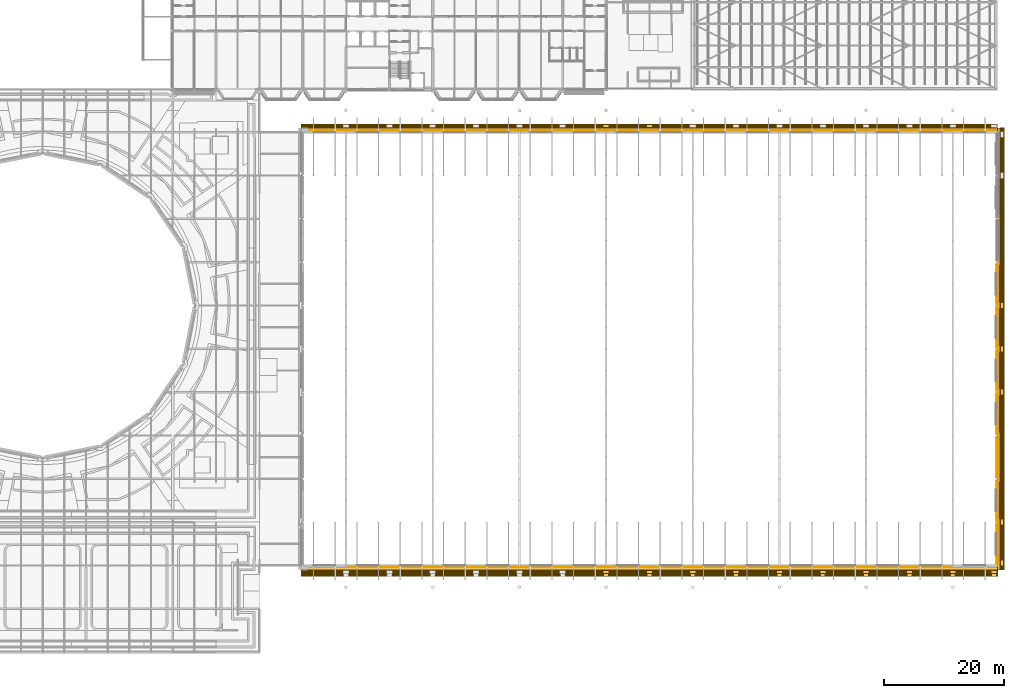
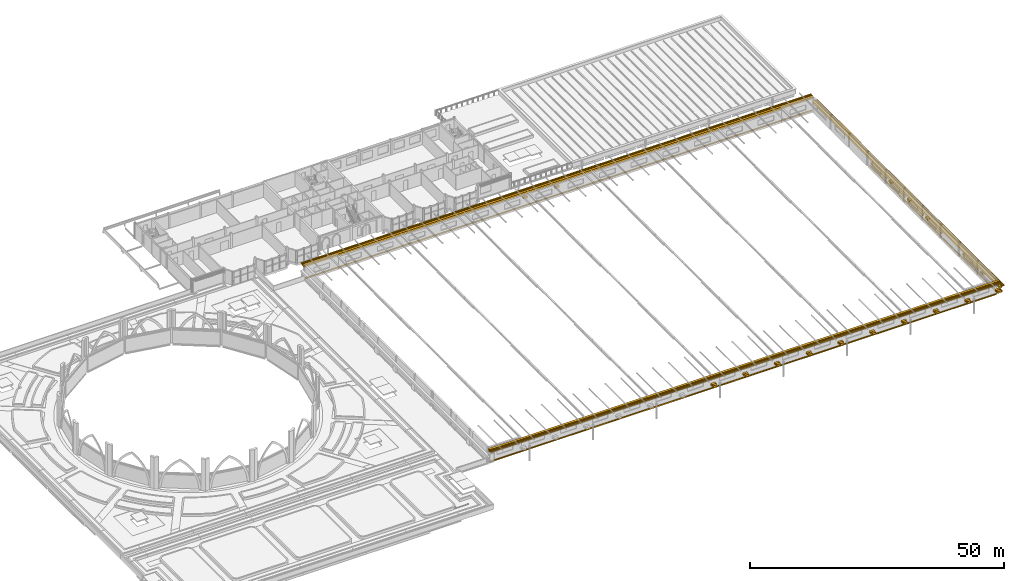
# One storey, part 104 of 110: 55 coverings.
"""IFC4 building model written with IfcOpenShell, lengths in metres."""

from ifc_helpers import new_model, si_unit, direction, frame, origin, origin_2d, place, context, subcontext, project, spatial, rectangle, extrude, material, layer, layer_set, type_object, element, save


model = new_model("IFC4")

# Units and contexts
model_context = context("Model", 3, precision=1e-05, world=origin(), true_north=direction((0.0, 1.0)))
body_context = subcontext(model_context, "Body", "Model", "MODEL_VIEW")
ifc_project = project(units=[si_unit("LENGTHUNIT", "METRE"), si_unit("AREAUNIT", "SQUARE_METRE"), si_unit("VOLUMEUNIT", "CUBIC_METRE"), si_unit("PLANEANGLEUNIT", "RADIAN"), si_unit("MASSUNIT", "GRAM", prefix="KILO")], contexts=[model_context])

# Site, building, storey
site_placement = place(None, origin())
site = spatial("IfcSite", under=ifc_project, at=site_placement, CompositionType="ELEMENT")
building_placement = place(site_placement, origin())
building = spatial("IfcBuilding", under=site, at=building_placement, Name="Kupolbacken Congress Centre", CompositionType="ELEMENT")
storey_placement = place(building_placement, frame((0.0, 0.0, 18.0)))
storey = spatial("IfcBuildingStorey", under=building, at=storey_placement, Name="L05", CompositionType="ELEMENT", Elevation=18.0)

# Coverings
ifc_material_1 = material(Name="Limestone cladding", Category="masonry")
ifc_layer_1 = layer(ifc_material_1, 0.5)
ifc_layer_set_1 = layer_set([ifc_layer_1], Name="Limestone cladding")
covering_type_1 = type_object("IfcCoveringType", Name="CV10 limestone cornice 500", PredefinedType="CLADDING", material=ifc_layer_set_1)
covering_1_placement = place(storey_placement, frame((144.0, 42.68994140625, 2.93505859375), z_axis=(0.0, 0.0, 1.0), x_axis=(1.0, 0.0, 0.0)))
element("IfcCovering", 1, at=covering_1_placement, inside=storey, type_object=covering_type_1, Name="F/H/S/cornice", PredefinedType="CLADDING", context=body_context, shape_type="SweptSolid", body=[
    extrude(rectangle(XDim=115.719970703125, YDim=0.5, at=origin_2d()), origin(), (0.0, 0.0, 1.0), 0.5),
])
covering_2_placement = place(storey_placement, frame((144.0, 115.659912109375, 2.93505859375), z_axis=(0.0, 0.0, 1.0), x_axis=(1.0, 0.0, 0.0)))
element("IfcCovering", 2, at=covering_2_placement, inside=storey, type_object=covering_type_1, Name="F/H/N/cornice", PredefinedType="CLADDING", context=body_context, shape_type="SweptSolid", body=[
    extrude(rectangle(XDim=115.6201171875, YDim=0.5, at=origin_2d()), origin(), (0.0, 0.0, 1.0), 0.5),
])
covering_3_placement = place(storey_placement, frame((202.06005859375, 79.199951171875, 1.60009765625), z_axis=(0.0, 0.0, 1.0), x_axis=(0.0, 1.0, 0.0)))
element("IfcCovering", 3, at=covering_3_placement, inside=storey, type_object=covering_type_1, Name="F/H/E/cornice", PredefinedType="CLADDING", context=body_context, shape_type="SweptSolid", body=[
    extrude(rectangle(XDim=73.419921875, YDim=0.5, at=origin_2d()), origin(), (0.0, 0.0, 1.0), 0.5),
])
ifc_material_2 = material(Name="Brick cladding", Category="masonry")
ifc_layer_2 = layer(ifc_material_2, 0.10791015625)
ifc_layer_set_2 = layer_set([ifc_layer_2], Name="Brick cladding")
covering_type_2 = type_object("IfcCoveringType", Name="CV2 brick cladding band 108", PredefinedType="CLADDING", material=ifc_layer_set_2)
covering_4_placement = place(storey_placement, frame((201.864013671875, 46.800048828125, 0.0), z_axis=(0.0, 0.0, 1.0), x_axis=(0.0, 1.0, 0.0)))
element("IfcCovering", 4, at=covering_4_placement, inside=storey, type_object=covering_type_2, Name="E/H/E/L05/457/band", PredefinedType="CLADDING", context=body_context, shape_type="SweptSolid", body=[
    extrude(rectangle(XDim=6.909912109375, YDim=0.10791015625, at=origin_2d()), origin(), (0.0, 0.0, 1.0), 0.300048828125),
])
covering_5_placement = place(storey_placement, frame((201.864013671875, 53.949951171875, 0.0), z_axis=(0.0, 0.0, 1.0), x_axis=(0.0, 1.0, 0.0)))
element("IfcCovering", 5, at=covering_5_placement, inside=storey, type_object=covering_type_2, Name="E/H/E/L05/458/band", PredefinedType="CLADDING", context=body_context, shape_type="SweptSolid", body=[
    extrude(rectangle(XDim=6.81005859375, YDim=0.10791015625, at=origin_2d()), origin(), (0.0, 0.0, 1.0), 0.300048828125),
])
covering_6_placement = place(storey_placement, frame((201.864013671875, 61.199951171875, 0.0), z_axis=(0.0, 0.0, 1.0), x_axis=(0.0, 1.0, 0.0)))
element("IfcCovering", 6, at=covering_6_placement, inside=storey, type_object=covering_type_2, Name="E/H/E/L05/459/band", PredefinedType="CLADDING", context=body_context, shape_type="SweptSolid", body=[
    extrude(rectangle(XDim=6.7099609375, YDim=0.10791015625, at=origin_2d()), origin(), (0.0, 0.0, 1.0), 0.300048828125),
])
covering_7_placement = place(storey_placement, frame((201.864013671875, 68.449951171875, 0.0), z_axis=(0.0, 0.0, 1.0), x_axis=(0.0, 1.0, 0.0)))
element("IfcCovering", 7, at=covering_7_placement, inside=storey, type_object=covering_type_2, Name="E/H/E/L05/460/band", PredefinedType="CLADDING", context=body_context, shape_type="SweptSolid", body=[
    extrude(rectangle(XDim=6.81005859375, YDim=0.10791015625, at=origin_2d()), origin(), (0.0, 0.0, 1.0), 0.300048828125),
])
for number, where, z_axis, x_axis, name in (
    (8, (201.864013671875, 75.60009765625, 0.0), (0.0, 0.0, 1.0), (0.0, 1.0, 0.0), "E/H/E/L05/461/band"),
    (9, (201.864013671875, 82.800048828125, 0.0), (0.0, 0.0, 1.0), (0.0, 1.0, 0.0), "E/H/E/L05/462/band"),
):
    element("IfcCovering", number, at=place(storey_placement, frame(where, z_axis=z_axis, x_axis=x_axis)), inside=storey, type_object=covering_type_2, Name=name, PredefinedType="CLADDING", context=body_context, shape_type="SweptSolid", body=[
        extrude(rectangle(XDim=6.909912109375, YDim=0.10791015625, at=origin_2d()), origin(), (0.0, 0.0, 1.0), 0.300048828125),
    ])
covering_8_placement = place(storey_placement, frame((201.864013671875, 89.949951171875, 0.0), z_axis=(0.0, 0.0, 1.0), x_axis=(0.0, 1.0, 0.0)))
element("IfcCovering", 10, at=covering_8_placement, inside=storey, type_object=covering_type_2, Name="E/H/E/L05/463/band", PredefinedType="CLADDING", context=body_context, shape_type="SweptSolid", body=[
    extrude(rectangle(XDim=6.81005859375, YDim=0.10791015625, at=origin_2d()), origin(), (0.0, 0.0, 1.0), 0.300048828125),
])
for number, where, z_axis, x_axis, name in (
    (11, (144.0, 115.464111328125, 0.0), (0.0, 0.0, 1.0), (-1.0, 0.0, 0.0), "E/H/N/L05/467/band"),
    (12, (144.0, 42.93603515625, 0.0), (0.0, 0.0, 1.0), (1.0, 0.0, 0.0), "E/H/S/L05/468/band"),
):
    element("IfcCovering", number, at=place(storey_placement, frame(where, z_axis=z_axis, x_axis=x_axis)), inside=storey, type_object=covering_type_2, Name=name, PredefinedType="CLADDING", context=body_context, shape_type="SweptSolid", body=[
        extrude(rectangle(XDim=114.89990234375, YDim=0.10791015625, at=origin_2d()), origin(), (0.0, 0.0, 1.0), 0.300048828125),
    ])
ifc_material_3 = material(Name="Limestone cladding", Category="masonry")
ifc_layer_3 = layer(ifc_material_3, 0.35009765625)
ifc_layer_set_3 = layer_set([ifc_layer_3], Name="Limestone cladding")
covering_type_3 = type_object("IfcCoveringType", Name="CV3 limestone pilaster strip 350", PredefinedType="CLADDING", material=ifc_layer_set_3)
for number, where, z_axis, x_axis, name in (
    (13, (201.985107421875, 54.0, 0.7001953125), (0.0, 0.0, 1.0), (0.0, 1.0, 0.0), "F/HR/H/E/corbel/01"),
    (14, (201.985107421875, 68.39990234375, 0.7001953125), (0.0, 0.0, 1.0), (0.0, 1.0, 0.0), "F/HR/H/E/corbel/03"),
    (15, (201.985107421875, 75.60009765625, 0.7001953125), (0.0, 0.0, 1.0), (0.0, 1.0, 0.0), "F/HR/H/E/corbel/04"),
    (16, (201.985107421875, 82.800048828125, 0.7001953125), (0.0, 0.0, 1.0), (0.0, 1.0, 0.0), "F/HR/H/E/corbel/05"),
    (17, (201.985107421875, 90.0, 0.7001953125), (0.0, 0.0, 1.0), (0.0, 1.0, 0.0), "F/HR/H/E/corbel/06"),
):
    element("IfcCovering", number, at=place(storey_placement, frame(where, z_axis=z_axis, x_axis=x_axis)), inside=storey, type_object=covering_type_3, Name=name, PredefinedType="CLADDING", context=body_context, shape_type="SweptSolid", body=[
        extrude(rectangle(XDim=6.0, YDim=0.35009765625, at=origin_2d()), origin(), (0.0, 0.0, 1.0), 0.449951171875),
    ])
ifc_material_4 = material(Name="Limestone cladding", Category="masonry")
ifc_layer_4 = layer(ifc_material_4, 0.5)
ifc_layer_set_4 = layer_set([ifc_layer_4], Name="Limestone cladding")
covering_type_4 = type_object("IfcCoveringType", Name="CV8 limestone drum pier 500", PredefinedType="CLADDING", material=ifc_layer_set_4)
covering_9_placement = place(storey_placement, frame((136.800048828125, 42.139892578125, 1.38525390625), z_axis=(0.0, 0.0, 1.0), x_axis=(1.0, 0.0, 0.0)))
element("IfcCovering", 18, at=covering_9_placement, inside=storey, type_object=covering_type_4, Name="F/HR/H/S/cap/07-0/0", PredefinedType="CLADDING", context=body_context, shape_type="SweptSolid", body=[
    extrude(rectangle(XDim=1.0, YDim=0.5, at=origin_2d()), origin(), (0.0, 0.0, 1.0), 0.449951171875),
])
covering_10_placement = place(storey_placement, frame((136.800048828125, 41.639892578125, 1.38525390625), z_axis=(0.0, 0.0, 1.0), x_axis=(1.0, 0.0, 0.0)))
element("IfcCovering", 19, at=covering_10_placement, inside=storey, type_object=covering_type_4, Name="F/HR/H/S/cap2/07-0/0", PredefinedType="CLADDING", context=body_context, shape_type="SweptSolid", body=[
    extrude(rectangle(XDim=0.800048828125, YDim=0.5, at=origin_2d()), origin(), (0.0, 0.0, 1.0), 0.449951171875),
])
covering_11_placement = place(storey_placement, frame((144.0, 42.139892578125, 1.38525390625), z_axis=(0.0, 0.0, 1.0), x_axis=(1.0, 0.0, 0.0)))
element("IfcCovering", 20, at=covering_11_placement, inside=storey, type_object=covering_type_4, Name="F/HR/H/S/cap/08-0/0", PredefinedType="CLADDING", context=body_context, shape_type="SweptSolid", body=[
    extrude(rectangle(XDim=1.0, YDim=0.5, at=origin_2d()), origin(), (0.0, 0.0, 1.0), 0.449951171875),
])
covering_12_placement = place(storey_placement, frame((144.0, 41.639892578125, 1.38525390625), z_axis=(0.0, 0.0, 1.0), x_axis=(1.0, 0.0, 0.0)))
element("IfcCovering", 21, at=covering_12_placement, inside=storey, type_object=covering_type_4, Name="F/HR/H/S/cap2/08-0/0", PredefinedType="CLADDING", context=body_context, shape_type="SweptSolid", body=[
    extrude(rectangle(XDim=0.800048828125, YDim=0.5, at=origin_2d()), origin(), (0.0, 0.0, 1.0), 0.449951171875),
])
covering_13_placement = place(storey_placement, frame((151.199951171875, 42.139892578125, 1.38525390625), z_axis=(0.0, 0.0, 1.0), x_axis=(1.0, 0.0, 0.0)))
element("IfcCovering", 22, at=covering_13_placement, inside=storey, type_object=covering_type_4, Name="F/HR/H/S/cap/09-0/0", PredefinedType="CLADDING", context=body_context, shape_type="SweptSolid", body=[
    extrude(rectangle(XDim=1.0, YDim=0.5, at=origin_2d()), origin(), (0.0, 0.0, 1.0), 0.449951171875),
])
covering_14_placement = place(storey_placement, frame((151.199951171875, 41.639892578125, 1.38525390625), z_axis=(0.0, 0.0, 1.0), x_axis=(1.0, 0.0, 0.0)))
element("IfcCovering", 23, at=covering_14_placement, inside=storey, type_object=covering_type_4, Name="F/HR/H/S/cap2/09-0/0", PredefinedType="CLADDING", context=body_context, shape_type="SweptSolid", body=[
    extrude(rectangle(XDim=0.800048828125, YDim=0.5, at=origin_2d()), origin(), (0.0, 0.0, 1.0), 0.449951171875),
])
covering_15_placement = place(storey_placement, frame((158.39990234375, 42.139892578125, 1.38525390625), z_axis=(0.0, 0.0, 1.0), x_axis=(1.0, 0.0, 0.0)))
element("IfcCovering", 24, at=covering_15_placement, inside=storey, type_object=covering_type_4, Name="F/HR/H/S/cap/10-0/0", PredefinedType="CLADDING", context=body_context, shape_type="SweptSolid", body=[
    extrude(rectangle(XDim=1.0, YDim=0.5, at=origin_2d()), origin(), (0.0, 0.0, 1.0), 0.449951171875),
])
covering_16_placement = place(storey_placement, frame((158.39990234375, 41.639892578125, 1.38525390625), z_axis=(0.0, 0.0, 1.0), x_axis=(1.0, 0.0, 0.0)))
element("IfcCovering", 25, at=covering_16_placement, inside=storey, type_object=covering_type_4, Name="F/HR/H/S/cap2/10-0/0", PredefinedType="CLADDING", context=body_context, shape_type="SweptSolid", body=[
    extrude(rectangle(XDim=0.800048828125, YDim=0.5, at=origin_2d()), origin(), (0.0, 0.0, 1.0), 0.449951171875),
])
covering_17_placement = place(storey_placement, frame((165.60009765625, 42.139892578125, 1.38525390625), z_axis=(0.0, 0.0, 1.0), x_axis=(1.0, 0.0, 0.0)))
element("IfcCovering", 26, at=covering_17_placement, inside=storey, type_object=covering_type_4, Name="F/HR/H/S/cap/11-0/0", PredefinedType="CLADDING", context=body_context, shape_type="SweptSolid", body=[
    extrude(rectangle(XDim=1.0, YDim=0.5, at=origin_2d()), origin(), (0.0, 0.0, 1.0), 0.449951171875),
])
covering_18_placement = place(storey_placement, frame((165.60009765625, 41.639892578125, 1.38525390625), z_axis=(0.0, 0.0, 1.0), x_axis=(1.0, 0.0, 0.0)))
element("IfcCovering", 27, at=covering_18_placement, inside=storey, type_object=covering_type_4, Name="F/HR/H/S/cap2/11-0/0", PredefinedType="CLADDING", context=body_context, shape_type="SweptSolid", body=[
    extrude(rectangle(XDim=0.800048828125, YDim=0.5, at=origin_2d()), origin(), (0.0, 0.0, 1.0), 0.449951171875),
])
covering_19_placement = place(storey_placement, frame((172.800048828125, 42.139892578125, 1.38525390625), z_axis=(0.0, 0.0, 1.0), x_axis=(1.0, 0.0, 0.0)))
element("IfcCovering", 28, at=covering_19_placement, inside=storey, type_object=covering_type_4, Name="F/HR/H/S/cap/12-0/0", PredefinedType="CLADDING", context=body_context, shape_type="SweptSolid", body=[
    extrude(rectangle(XDim=1.0, YDim=0.5, at=origin_2d()), origin(), (0.0, 0.0, 1.0), 0.449951171875),
])
covering_20_placement = place(storey_placement, frame((172.800048828125, 41.639892578125, 1.38525390625), z_axis=(0.0, 0.0, 1.0), x_axis=(1.0, 0.0, 0.0)))
element("IfcCovering", 29, at=covering_20_placement, inside=storey, type_object=covering_type_4, Name="F/HR/H/S/cap2/12-0/0", PredefinedType="CLADDING", context=body_context, shape_type="SweptSolid", body=[
    extrude(rectangle(XDim=0.800048828125, YDim=0.5, at=origin_2d()), origin(), (0.0, 0.0, 1.0), 0.449951171875),
])
covering_21_placement = place(storey_placement, frame((180.0, 42.139892578125, 1.38525390625), z_axis=(0.0, 0.0, 1.0), x_axis=(1.0, 0.0, 0.0)))
element("IfcCovering", 30, at=covering_21_placement, inside=storey, type_object=covering_type_4, Name="F/HR/H/S/cap/13-0/0", PredefinedType="CLADDING", context=body_context, shape_type="SweptSolid", body=[
    extrude(rectangle(XDim=1.0, YDim=0.5, at=origin_2d()), origin(), (0.0, 0.0, 1.0), 0.449951171875),
])
covering_22_placement = place(storey_placement, frame((180.0, 41.639892578125, 1.38525390625), z_axis=(0.0, 0.0, 1.0), x_axis=(1.0, 0.0, 0.0)))
element("IfcCovering", 31, at=covering_22_placement, inside=storey, type_object=covering_type_4, Name="F/HR/H/S/cap2/13-0/0", PredefinedType="CLADDING", context=body_context, shape_type="SweptSolid", body=[
    extrude(rectangle(XDim=0.800048828125, YDim=0.5, at=origin_2d()), origin(), (0.0, 0.0, 1.0), 0.449951171875),
])
covering_23_placement = place(storey_placement, frame((187.199951171875, 42.139892578125, 1.38525390625), z_axis=(0.0, 0.0, 1.0), x_axis=(1.0, 0.0, 0.0)))
element("IfcCovering", 32, at=covering_23_placement, inside=storey, type_object=covering_type_4, Name="F/HR/H/S/cap/14-0/0", PredefinedType="CLADDING", context=body_context, shape_type="SweptSolid", body=[
    extrude(rectangle(XDim=1.0, YDim=0.5, at=origin_2d()), origin(), (0.0, 0.0, 1.0), 0.449951171875),
])
covering_24_placement = place(storey_placement, frame((187.199951171875, 41.639892578125, 1.38525390625), z_axis=(0.0, 0.0, 1.0), x_axis=(1.0, 0.0, 0.0)))
element("IfcCovering", 33, at=covering_24_placement, inside=storey, type_object=covering_type_4, Name="F/HR/H/S/cap2/14-0/0", PredefinedType="CLADDING", context=body_context, shape_type="SweptSolid", body=[
    extrude(rectangle(XDim=0.800048828125, YDim=0.5, at=origin_2d()), origin(), (0.0, 0.0, 1.0), 0.449951171875),
])
covering_25_placement = place(storey_placement, frame((194.39990234375, 42.139892578125, 1.38525390625), z_axis=(0.0, 0.0, 1.0), x_axis=(1.0, 0.0, 0.0)))
element("IfcCovering", 34, at=covering_25_placement, inside=storey, type_object=covering_type_4, Name="F/HR/H/S/cap/15-0/0", PredefinedType="CLADDING", context=body_context, shape_type="SweptSolid", body=[
    extrude(rectangle(XDim=1.0, YDim=0.5, at=origin_2d()), origin(), (0.0, 0.0, 1.0), 0.449951171875),
])
covering_26_placement = place(storey_placement, frame((194.39990234375, 41.639892578125, 1.38525390625), z_axis=(0.0, 0.0, 1.0), x_axis=(1.0, 0.0, 0.0)))
element("IfcCovering", 35, at=covering_26_placement, inside=storey, type_object=covering_type_4, Name="F/HR/H/S/cap2/15-0/0", PredefinedType="CLADDING", context=body_context, shape_type="SweptSolid", body=[
    extrude(rectangle(XDim=0.800048828125, YDim=0.5, at=origin_2d()), origin(), (0.0, 0.0, 1.0), 0.449951171875),
])
covering_27_placement = place(storey_placement, frame((201.260009765625, 42.139892578125, 1.38525390625), z_axis=(0.0, 0.0, 1.0), x_axis=(1.0, 0.0, 0.0)))
element("IfcCovering", 36, at=covering_27_placement, inside=storey, type_object=covering_type_4, Name="F/HR/H/S/cap/16-0/0", PredefinedType="CLADDING", context=body_context, shape_type="SweptSolid", body=[
    extrude(rectangle(XDim=1.0, YDim=0.5, at=origin_2d()), origin(), (0.0, 0.0, 1.0), 0.449951171875),
])
covering_28_placement = place(storey_placement, frame((201.260009765625, 41.639892578125, 1.38525390625), z_axis=(0.0, 0.0, 1.0), x_axis=(1.0, 0.0, 0.0)))
element("IfcCovering", 37, at=covering_28_placement, inside=storey, type_object=covering_type_4, Name="F/HR/H/S/cap2/16-0/0", PredefinedType="CLADDING", context=body_context, shape_type="SweptSolid", body=[
    extrude(rectangle(XDim=0.800048828125, YDim=0.5, at=origin_2d()), origin(), (0.0, 0.0, 1.0), 0.449951171875),
])
for number, where, z_axis, x_axis, name in (
    (38, (136.800048828125, 116.2099609375, 1.38525390625), (0.0, 0.0, 1.0), (1.0, 0.0, 0.0), "F/HR/H/N/cap/07-0/0"),
    (39, (144.0, 116.2099609375, 1.38525390625), (0.0, 0.0, 1.0), (1.0, 0.0, 0.0), "F/HR/H/N/cap/08-0/0"),
    (40, (202.610107421875, 43.590087890625, 0.0498046875), (0.0, 0.0, 1.0), (0.0, 1.0, 0.0), "F/HR/H/E/cap/00-0/0"),
    (41, (202.610107421875, 50.39990234375, 0.0498046875), (0.0, 0.0, 1.0), (0.0, 1.0, 0.0), "F/HR/H/E/cap/01-0/0"),
    (42, (202.610107421875, 72.0, 0.0498046875), (0.0, 0.0, 1.0), (0.0, 1.0, 0.0), "F/HR/H/E/cap/04-0/0"),
    (43, (202.610107421875, 79.199951171875, 0.0498046875), (0.0, 0.0, 1.0), (0.0, 1.0, 0.0), "F/HR/H/E/cap/05-0/0"),
    (44, (202.610107421875, 86.39990234375, 0.0498046875), (0.0, 0.0, 1.0), (0.0, 1.0, 0.0), "F/HR/H/E/cap/06-0/0"),
):
    element("IfcCovering", number, at=place(storey_placement, frame(where, z_axis=z_axis, x_axis=x_axis)), inside=storey, type_object=covering_type_4, Name=name, PredefinedType="CLADDING", context=body_context, shape_type="SweptSolid", body=[
        extrude(rectangle(XDim=1.0, YDim=0.5, at=origin_2d()), origin(), (0.0, 0.0, 1.0), 0.449951171875),
    ])
ifc_material_5 = material(Name="Limestone cladding", Category="masonry")
ifc_layer_5 = layer(ifc_material_5, 0.199951171875)
ifc_layer_set_5 = layer_set([ifc_layer_5], Name="Limestone cladding")
covering_type_5 = type_object("IfcCoveringType", Name="CV9 limestone drum arch frame 200", PredefinedType="CLADDING", material=ifc_layer_set_5)
covering_29_placement = place(storey_placement, frame((144.0, 42.340087890625, 3.03515625), z_axis=(0.0, 0.0, 1.0), x_axis=(1.0, 0.0, 0.0)))
element("IfcCovering", 45, at=covering_29_placement, inside=storey, type_object=covering_type_5, Name="F/HR/H/S/cornice2", PredefinedType="CLADDING", context=body_context, shape_type="SweptSolid", body=[
    extrude(rectangle(XDim=115.719970703125, YDim=0.199951171875, at=origin_2d()), origin(), (0.0, 0.0, 1.0), 0.39990234375),
])
covering_30_placement = place(storey_placement, frame((144.0, 42.139892578125, 3.134765625), z_axis=(0.0, 0.0, 1.0), x_axis=(1.0, 0.0, 0.0)))
element("IfcCovering", 46, at=covering_30_placement, inside=storey, type_object=covering_type_5, Name="F/HR/H/S/cornice3", PredefinedType="CLADDING", context=body_context, shape_type="SweptSolid", body=[
    extrude(rectangle(XDim=115.719970703125, YDim=0.199951171875, at=origin_2d()), origin(), (0.0, 0.0, 1.0), 0.300048828125),
])
covering_31_placement = place(storey_placement, frame((144.0, 41.93994140625, 3.23486328125), z_axis=(0.0, 0.0, 1.0), x_axis=(1.0, 0.0, 0.0)))
element("IfcCovering", 47, at=covering_31_placement, inside=storey, type_object=covering_type_5, Name="F/HR/H/S/cornice4", PredefinedType="CLADDING", context=body_context, shape_type="SweptSolid", body=[
    extrude(rectangle(XDim=115.719970703125, YDim=0.199951171875, at=origin_2d()), origin(), (0.0, 0.0, 1.0), 0.199951171875),
])
covering_32_placement = place(storey_placement, frame((144.0, 41.739990234375, 3.28515625), z_axis=(0.0, 0.0, 1.0), x_axis=(1.0, 0.0, 0.0)))
element("IfcCovering", 48, at=covering_32_placement, inside=storey, type_object=covering_type_5, Name="F/HR/H/S/cornice5", PredefinedType="CLADDING", context=body_context, shape_type="SweptSolid", body=[
    extrude(rectangle(XDim=115.719970703125, YDim=0.199951171875, at=origin_2d()), origin(), (0.0, 0.0, 1.0), 0.14990234375),
])
covering_33_placement = place(storey_placement, frame((144.0, 41.5400390625, 3.3349609375), z_axis=(0.0, 0.0, 1.0), x_axis=(1.0, 0.0, 0.0)))
element("IfcCovering", 49, at=covering_33_placement, inside=storey, type_object=covering_type_5, Name="F/HR/H/S/cornice6", PredefinedType="CLADDING", context=body_context, shape_type="SweptSolid", body=[
    extrude(rectangle(XDim=115.719970703125, YDim=0.199951171875, at=origin_2d()), origin(), (0.0, 0.0, 1.0), 0.10009765625),
])
covering_34_placement = place(storey_placement, frame((144.0, 116.010009765625, 3.03515625), z_axis=(0.0, 0.0, 1.0), x_axis=(1.0, 0.0, 0.0)))
element("IfcCovering", 50, at=covering_34_placement, inside=storey, type_object=covering_type_5, Name="F/HR/H/N/cornice2", PredefinedType="CLADDING", context=body_context, shape_type="SweptSolid", body=[
    extrude(rectangle(XDim=115.6201171875, YDim=0.199951171875, at=origin_2d()), origin(), (0.0, 0.0, 1.0), 0.39990234375),
])
covering_35_placement = place(storey_placement, frame((144.0, 116.2099609375, 3.134765625), z_axis=(0.0, 0.0, 1.0), x_axis=(1.0, 0.0, 0.0)))
element("IfcCovering", 51, at=covering_35_placement, inside=storey, type_object=covering_type_5, Name="F/HR/H/N/cornice3", PredefinedType="CLADDING", context=body_context, shape_type="SweptSolid", body=[
    extrude(rectangle(XDim=115.6201171875, YDim=0.199951171875, at=origin_2d()), origin(), (0.0, 0.0, 1.0), 0.300048828125),
])
covering_36_placement = place(storey_placement, frame((144.0, 116.409912109375, 3.23486328125), z_axis=(0.0, 0.0, 1.0), x_axis=(1.0, 0.0, 0.0)))
element("IfcCovering", 52, at=covering_36_placement, inside=storey, type_object=covering_type_5, Name="F/HR/H/N/cornice4", PredefinedType="CLADDING", context=body_context, shape_type="SweptSolid", body=[
    extrude(rectangle(XDim=115.6201171875, YDim=0.199951171875, at=origin_2d()), origin(), (0.0, 0.0, 1.0), 0.199951171875),
])
covering_37_placement = place(storey_placement, frame((202.409912109375, 79.199951171875, 1.699951171875), z_axis=(0.0, 0.0, 1.0), x_axis=(0.0, 1.0, 0.0)))
element("IfcCovering", 53, at=covering_37_placement, inside=storey, type_object=covering_type_5, Name="F/HR/H/E/cornice2", PredefinedType="CLADDING", context=body_context, shape_type="SweptSolid", body=[
    extrude(rectangle(XDim=73.419921875, YDim=0.199951171875, at=origin_2d()), origin(), (0.0, 0.0, 1.0), 0.39990234375),
])
covering_38_placement = place(storey_placement, frame((202.610107421875, 79.199951171875, 1.7998046875), z_axis=(0.0, 0.0, 1.0), x_axis=(0.0, 1.0, 0.0)))
element("IfcCovering", 54, at=covering_38_placement, inside=storey, type_object=covering_type_5, Name="F/HR/H/E/cornice3", PredefinedType="CLADDING", context=body_context, shape_type="SweptSolid", body=[
    extrude(rectangle(XDim=73.419921875, YDim=0.199951171875, at=origin_2d()), origin(), (0.0, 0.0, 1.0), 0.300048828125),
])
covering_39_placement = place(storey_placement, frame((202.81005859375, 79.199951171875, 1.89990234375), z_axis=(0.0, 0.0, 1.0), x_axis=(0.0, 1.0, 0.0)))
element("IfcCovering", 55, at=covering_39_placement, inside=storey, type_object=covering_type_5, Name="F/HR/H/E/cornice4", PredefinedType="CLADDING", context=body_context, shape_type="SweptSolid", body=[
    extrude(rectangle(XDim=73.419921875, YDim=0.199951171875, at=origin_2d()), origin(), (0.0, 0.0, 1.0), 0.199951171875),
])

save(model, "model.ifc")
